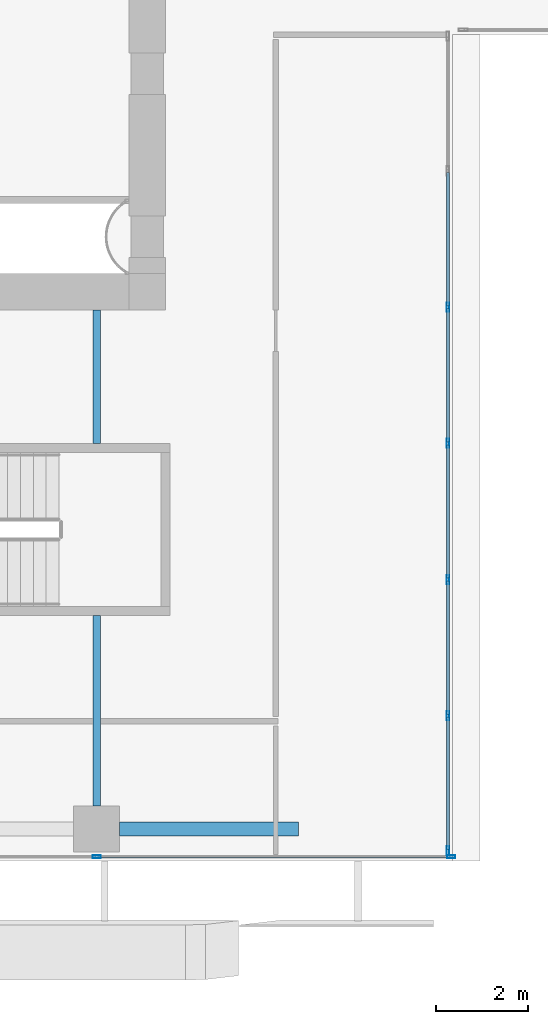
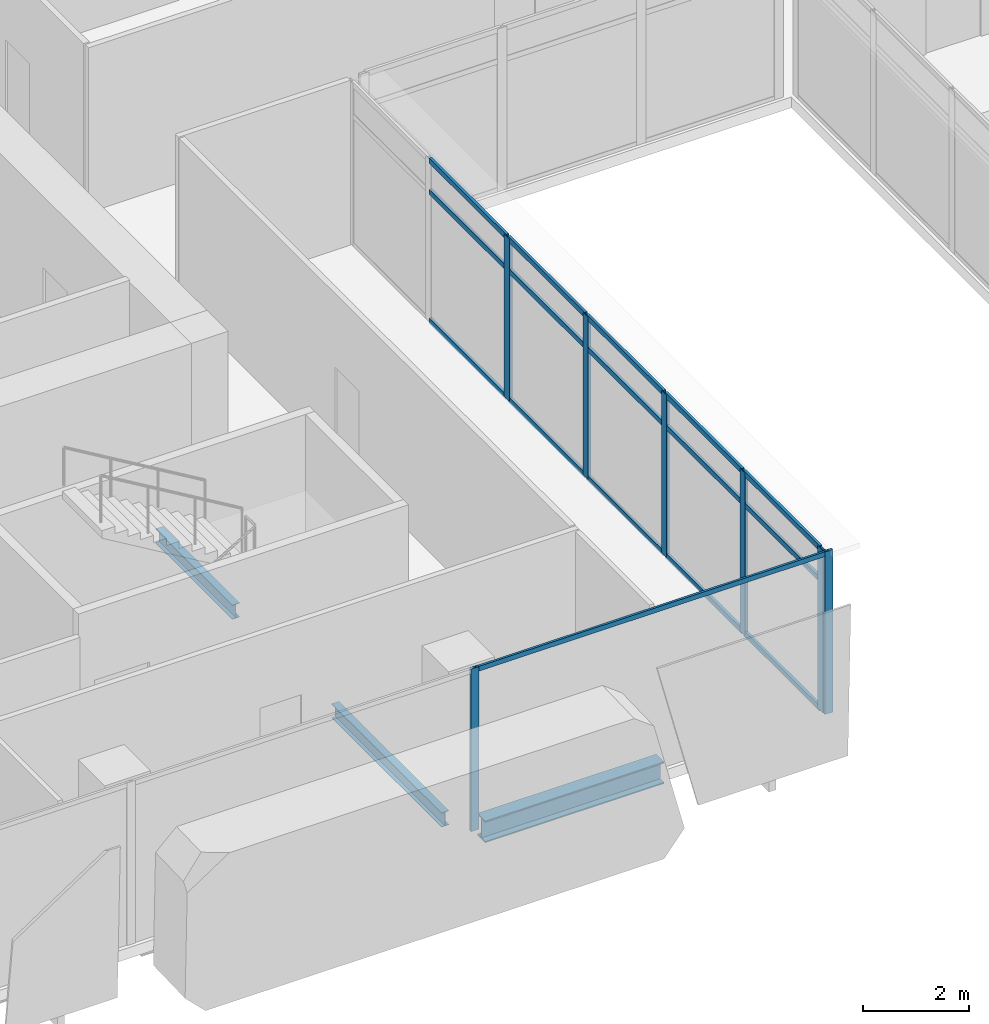
# One storey, part 5 of 40: 23 members, 3 beams, 2 elements without a shape of their own.
"""IFC4 building model written with IfcOpenShell, lengths in metres."""

from ifc_helpers import new_model, si_unit, direction, frame, origin, origin_2d, place, context, subcontext, project, spatial, hollow_rectangle, i_section, extrude, source, transform, mapped, material, material_profile, profile_set, type_object, element, aggregate, save


model = new_model("IFC4")

# Units and contexts
model_context = context("Model", 3, precision=1e-05, world=origin(), true_north=direction((0.0, 1.0)))
body_context = subcontext(model_context, "Body", "Model", "MODEL_VIEW")
ifc_project = project(units=[si_unit("LENGTHUNIT", "METRE"), si_unit("AREAUNIT", "SQUARE_METRE"), si_unit("VOLUMEUNIT", "CUBIC_METRE"), si_unit("PLANEANGLEUNIT", "RADIAN"), si_unit("MASSUNIT", "GRAM", prefix="KILO")], contexts=[model_context])

# Site, building, storey
site_placement = place(None, origin())
site = spatial("IfcSite", under=ifc_project, at=site_placement, CompositionType="ELEMENT")
building_placement = place(site_placement, origin())
building = spatial("IfcBuilding", under=site, at=building_placement, Name="Khomas Fold Tower", CompositionType="ELEMENT")
storey_placement = place(building_placement, frame((0.0, 0.0, 176.699951171875)))
storey = spatial("IfcBuildingStorey", under=building, at=storey_placement, Name="L38", CompositionType="ELEMENT", Elevation=176.699951171875)

# Beams
ifc_material_1 = material(Name="Steel S355", Category="steel")
ifc_material_profile_1 = material_profile(ifc_material_1, i_section(OverallWidth=0.300048828125, OverallDepth=0.5, WebThickness=0.014404296875, FlangeThickness=0.028076171875, at=origin_2d()), Name="HE 500 B")
ifc_profile_set_1 = profile_set([ifc_material_profile_1], Name="Steel S355")
beam_type_1 = type_object("IfcBeamType", Name="HE 500 B spandrel SB3", PredefinedType="SPANDREL", material=ifc_profile_set_1)
shared_shape_1 = source(origin(), body_context, "Body", "SweptSolid", [
    extrude(i_section(OverallWidth=0.300048828125, OverallDepth=0.5, WebThickness=0.014404296875, FlangeThickness=0.028076171875, at=origin_2d()), origin(), (0.0, 0.0, 1.0), 3.89990234375),
])
beam_1_placement = place(storey_placement, frame((20.0, 3.699951171875, -0.5), z_axis=(1.0, 0.0, 0.0), x_axis=(0.0, 1.0, 0.0)))
element("IfcBeam", 1, at=beam_1_placement, inside=storey, type_object=beam_type_1, Name="SB3", PredefinedType="SPANDREL", context=body_context, shape_type="MappedRepresentation", body=[
    mapped(shared_shape_1, transform((0.0, 0.0, 0.0))),
])
ifc_material_2 = material(Name="Steel S355", Category="steel")
ifc_material_profile_2 = material_profile(ifc_material_2, i_section(OverallWidth=0.159912109375, OverallDepth=0.330078125, WebThickness=0.007568359375, FlangeThickness=0.011474609375, at=origin_2d()), Name="IPE 330")
ifc_profile_set_2 = profile_set([ifc_material_profile_2], Name="Steel S355")
beam_type_2 = type_object("IfcBeamType", Name="IPE 330 beam JB1", PredefinedType="BEAM", material=ifc_profile_set_2)
shared_shape_2 = source(origin(), body_context, "Body", "SweptSolid", [
    extrude(i_section(OverallWidth=0.159912109375, OverallDepth=0.330078125, WebThickness=0.007568359375, FlangeThickness=0.011474609375, at=origin_2d()), origin(), (0.0, 0.0, 1.0), 4.150146484375),
])
beam_2_placement = place(storey_placement, frame((19.5, 4.199951171875, -0.4150390625), z_axis=(0.0, 1.0, 0.0), x_axis=(-1.0, 0.0, 0.0)))
element("IfcBeam", 2, at=beam_2_placement, inside=storey, type_object=beam_type_2, Name="JB1", PredefinedType="BEAM", context=body_context, shape_type="MappedRepresentation", body=[
    mapped(shared_shape_2, transform((0.0, 0.0, 0.0))),
])
shared_shape_3 = source(origin(), body_context, "Body", "SweptSolid", [
    extrude(i_section(OverallWidth=0.159912109375, OverallDepth=0.330078125, WebThickness=0.007568359375, FlangeThickness=0.011474609375, at=origin_2d()), origin(), (0.0, 0.0, 1.0), 2.89990234375),
])
beam_3_placement = place(storey_placement, frame((19.5, 12.10009765625, -0.4150390625), z_axis=(0.0, 1.0, 0.0), x_axis=(-1.0, 0.0, 0.0)))
element("IfcBeam", 3, at=beam_3_placement, inside=storey, type_object=beam_type_2, Name="JB1", PredefinedType="BEAM", context=body_context, shape_type="MappedRepresentation", body=[
    mapped(shared_shape_3, transform((0.0, 0.0, 0.0))),
])

# Curtain wall, members
ifc_material_3 = material(Name="Aluminium framed double glazing", Category="aluminium")
curtain_wall_type_1 = type_object("IfcCurtainWallType", Name="SK-Unitised clear-glass wall, office floors CW2", PredefinedType="NOTDEFINED", material=ifc_material_3)
curtain_wall_1_placement = place(storey_placement, origin())
curtain_wall_1 = element("IfcCurtainWall", 4, at=curtain_wall_1_placement, inside=storey, type_object=curtain_wall_type_1, Name="CW2 run L38 01-0", PredefinedType="NOTDEFINED")
ifc_material_4 = material(Name="Aluminium", Category="aluminium")
ifc_material_profile_3 = material_profile(ifc_material_4, hollow_rectangle(XDim=0.06005859375, YDim=0.179931640625, WallThickness=0.00390625, at=origin_2d()), Name="SK-Unitised clear-glass wall, office floors mullion CW2-M")
ifc_profile_set_3 = profile_set([ifc_material_profile_3], Name="Aluminium")
member_type_1 = type_object("IfcMemberType", Name="SK-Unitised clear-glass wall, office floors mullion CW2-M", PredefinedType="MULLION", material=ifc_profile_set_3)
shared_shape_4 = source(origin(), body_context, "Body", "SweptSolid", [
    extrude(hollow_rectangle(XDim=0.06005859375, YDim=0.179931640625, WallThickness=0.00390625, at=origin_2d()), origin(), (0.0, 0.0, 1.0), 3.75),
])
member_1_placement = place(storey_placement, frame((19.5, 3.10009765625, 0.0), z_axis=(0.0, 0.0, 1.0), x_axis=(0.0, 1.0, 0.0)))
member_1 = element("IfcMember", 5, at=member_1_placement, type_object=member_type_1, Name="CW2 mullion 4", PredefinedType="MULLION", context=body_context, shape_type="MappedRepresentation", body=[
    mapped(shared_shape_4, transform((0.0, 0.0, 0.0))),
])
member_2_placement = place(storey_placement, frame((27.219970703125, 3.10009765625, 0.0), z_axis=(0.0, 0.0, 1.0), x_axis=(0.0, 1.0, 0.0)))
member_2 = element("IfcMember", 6, at=member_2_placement, type_object=member_type_1, Name="CW2 mullion 5", PredefinedType="MULLION", context=body_context, shape_type="MappedRepresentation", body=[
    mapped(shared_shape_4, transform((0.0, 0.0, 0.0))),
])
ifc_material_5 = material(Name="Aluminium", Category="aluminium")
ifc_material_profile_4 = material_profile(ifc_material_5, hollow_rectangle(XDim=0.050048828125, YDim=0.110107421875, WallThickness=0.00390625, at=origin_2d()), Name="SK-Unitised clear-glass wall, office floors transom CW2-T")
ifc_profile_set_4 = profile_set([ifc_material_profile_4], Name="Aluminium")
member_type_2 = type_object("IfcMemberType", Name="SK-Unitised clear-glass wall, office floors transom CW2-T", PredefinedType="USERDEFINED", material=ifc_profile_set_4)
shared_shape_5 = source(origin(), body_context, "Body", "SweptSolid", [
    extrude(hollow_rectangle(XDim=0.050048828125, YDim=0.110107421875, WallThickness=0.00390625, at=origin_2d()), origin(), (0.0, 0.0, 1.0), 7.659912109375),
])
member_3_placement = place(storey_placement, frame((19.530029296875, 3.10009765625, 3.695068359375), z_axis=(1.0, 0.0, 0.0), x_axis=(0.0, 1.0, 0.0)))
member_3 = element("IfcMember", 7, at=member_3_placement, type_object=member_type_2, Name="CW2 transom 4", ObjectType="TRANSOM", PredefinedType="USERDEFINED", context=body_context, shape_type="MappedRepresentation", body=[
    mapped(shared_shape_5, transform((0.0, 0.0, 0.0))),
])
aggregate(curtain_wall_1, [member_1, member_2, member_3])

ifc_material_6 = material(Name="Aluminium framed double glazing", Category="aluminium")
curtain_wall_type_2 = type_object("IfcCurtainWallType", Name="Notch glazing GN-CW", PredefinedType="NOTDEFINED", material=ifc_material_6)
curtain_wall_2_placement = place(storey_placement, origin())
curtain_wall_2 = element("IfcCurtainWall", 8, at=curtain_wall_2_placement, inside=storey, type_object=curtain_wall_type_2, Name="Notch glazing run", PredefinedType="NOTDEFINED")
ifc_material_7 = material(Name="Aluminium", Category="aluminium")
ifc_material_profile_5 = material_profile(ifc_material_7, hollow_rectangle(XDim=0.06005859375, YDim=0.1201171875, WallThickness=0.00390625, at=origin_2d()), Name="Notch glazing transom GN-CW-T")
ifc_profile_set_5 = profile_set([ifc_material_profile_5], Name="Aluminium")
member_type_3 = type_object("IfcMemberType", Name="Notch glazing transom GN-CW-T", PredefinedType="USERDEFINED", material=ifc_profile_set_5)
shared_shape_6 = source(origin(), body_context, "Body", "SweptSolid", [
    extrude(hollow_rectangle(XDim=0.06005859375, YDim=0.1201171875, WallThickness=0.00390625, at=origin_2d()), origin(), (0.0, 0.0, 1.0), 2.876708984375),
])
member_4_placement = place(storey_placement, frame((27.14990234375, 3.260009765625, 0.030029296875), z_axis=(0.0, 1.0, 0.0), x_axis=(-1.0, 0.0, 0.0)))
member_4 = element("IfcMember", 9, at=member_4_placement, type_object=member_type_3, Name="GN-CW transom 1.1", ObjectType="TRANSOM", PredefinedType="USERDEFINED", context=body_context, shape_type="MappedRepresentation", body=[
    mapped(shared_shape_6, transform((0.0, 0.0, 0.0))),
])
member_5_placement = place(storey_placement, frame((27.14990234375, 3.260009765625, 3.0), z_axis=(0.0, 1.0, 0.0), x_axis=(-1.0, 0.0, 0.0)))
member_5 = element("IfcMember", 10, at=member_5_placement, type_object=member_type_3, Name="GN-CW transom 1.2", ObjectType="TRANSOM", PredefinedType="USERDEFINED", context=body_context, shape_type="MappedRepresentation", body=[
    mapped(shared_shape_6, transform((0.0, 0.0, 0.0))),
])
member_6_placement = place(storey_placement, frame((27.14990234375, 3.260009765625, 3.719970703125), z_axis=(0.0, 1.0, 0.0), x_axis=(-1.0, 0.0, 0.0)))
member_6 = element("IfcMember", 11, at=member_6_placement, type_object=member_type_3, Name="GN-CW transom 1.3", ObjectType="TRANSOM", PredefinedType="USERDEFINED", context=body_context, shape_type="MappedRepresentation", body=[
    mapped(shared_shape_6, transform((0.0, 0.0, 0.0))),
])
shared_shape_7 = source(origin(), body_context, "Body", "SweptSolid", [
    extrude(hollow_rectangle(XDim=0.06005859375, YDim=0.1201171875, WallThickness=0.00390625, at=origin_2d()), origin(), (0.0, 0.0, 1.0), 2.90673828125),
])
member_7_placement = place(storey_placement, frame((27.14990234375, 9.163330078125, 0.030029296875), z_axis=(0.0, 1.0, 0.0), x_axis=(-1.0, 0.0, 0.0)))
member_7 = element("IfcMember", 12, at=member_7_placement, type_object=member_type_3, Name="GN-CW transom 3.1", ObjectType="TRANSOM", PredefinedType="USERDEFINED", context=body_context, shape_type="MappedRepresentation", body=[
    mapped(shared_shape_7, transform((0.0, 0.0, 0.0))),
])
member_8_placement = place(storey_placement, frame((27.14990234375, 9.163330078125, 3.0), z_axis=(0.0, 1.0, 0.0), x_axis=(-1.0, 0.0, 0.0)))
member_8 = element("IfcMember", 13, at=member_8_placement, type_object=member_type_3, Name="GN-CW transom 3.2", ObjectType="TRANSOM", PredefinedType="USERDEFINED", context=body_context, shape_type="MappedRepresentation", body=[
    mapped(shared_shape_7, transform((0.0, 0.0, 0.0))),
])
member_9_placement = place(storey_placement, frame((27.14990234375, 9.163330078125, 3.719970703125), z_axis=(0.0, 1.0, 0.0), x_axis=(-1.0, 0.0, 0.0)))
member_9 = element("IfcMember", 14, at=member_9_placement, type_object=member_type_3, Name="GN-CW transom 3.3", ObjectType="TRANSOM", PredefinedType="USERDEFINED", context=body_context, shape_type="MappedRepresentation", body=[
    mapped(shared_shape_7, transform((0.0, 0.0, 0.0))),
])
member_10_placement = place(storey_placement, frame((27.14990234375, 12.1298828125, 0.030029296875), z_axis=(0.0, 1.0, 0.0), x_axis=(-1.0, 0.0, 0.0)))
member_10 = element("IfcMember", 15, at=member_10_placement, type_object=member_type_3, Name="GN-CW transom 4.1", ObjectType="TRANSOM", PredefinedType="USERDEFINED", context=body_context, shape_type="MappedRepresentation", body=[
    mapped(shared_shape_7, transform((0.0, 0.0, 0.0))),
])
member_11_placement = place(storey_placement, frame((27.14990234375, 12.1298828125, 3.0), z_axis=(0.0, 1.0, 0.0), x_axis=(-1.0, 0.0, 0.0)))
member_11 = element("IfcMember", 16, at=member_11_placement, type_object=member_type_3, Name="GN-CW transom 4.2", ObjectType="TRANSOM", PredefinedType="USERDEFINED", context=body_context, shape_type="MappedRepresentation", body=[
    mapped(shared_shape_7, transform((0.0, 0.0, 0.0))),
])
member_12_placement = place(storey_placement, frame((27.14990234375, 12.1298828125, 3.719970703125), z_axis=(0.0, 1.0, 0.0), x_axis=(-1.0, 0.0, 0.0)))
member_12 = element("IfcMember", 17, at=member_12_placement, type_object=member_type_3, Name="GN-CW transom 4.3", ObjectType="TRANSOM", PredefinedType="USERDEFINED", context=body_context, shape_type="MappedRepresentation", body=[
    mapped(shared_shape_7, transform((0.0, 0.0, 0.0))),
])
member_13_placement = place(storey_placement, frame((27.14990234375, 15.0966796875, 0.030029296875), z_axis=(0.0, 1.0, 0.0), x_axis=(-1.0, 0.0, 0.0)))
member_13 = element("IfcMember", 18, at=member_13_placement, type_object=member_type_3, Name="GN-CW transom 5.1", ObjectType="TRANSOM", PredefinedType="USERDEFINED", context=body_context, shape_type="MappedRepresentation", body=[
    mapped(shared_shape_7, transform((0.0, 0.0, 0.0))),
])
member_14_placement = place(storey_placement, frame((27.14990234375, 15.0966796875, 3.0), z_axis=(0.0, 1.0, 0.0), x_axis=(-1.0, 0.0, 0.0)))
member_14 = element("IfcMember", 19, at=member_14_placement, type_object=member_type_3, Name="GN-CW transom 5.2", ObjectType="TRANSOM", PredefinedType="USERDEFINED", context=body_context, shape_type="MappedRepresentation", body=[
    mapped(shared_shape_7, transform((0.0, 0.0, 0.0))),
])
member_15_placement = place(storey_placement, frame((27.14990234375, 15.0966796875, 3.719970703125), z_axis=(0.0, 1.0, 0.0), x_axis=(-1.0, 0.0, 0.0)))
member_15 = element("IfcMember", 20, at=member_15_placement, type_object=member_type_3, Name="GN-CW transom 5.3", ObjectType="TRANSOM", PredefinedType="USERDEFINED", context=body_context, shape_type="MappedRepresentation", body=[
    mapped(shared_shape_7, transform((0.0, 0.0, 0.0))),
])
shared_shape_8 = source(origin(), body_context, "Body", "SweptSolid", [
    extrude(hollow_rectangle(XDim=0.06005859375, YDim=0.1201171875, WallThickness=0.00390625, at=origin_2d()), origin(), (0.0, 0.0, 1.0), 2.906494140625),
])
member_16_placement = place(storey_placement, frame((27.14990234375, 6.19677734375, 0.030029296875), z_axis=(0.0, 1.0, 0.0), x_axis=(-1.0, 0.0, 0.0)))
member_16 = element("IfcMember", 21, at=member_16_placement, type_object=member_type_3, Name="GN-CW transom 2.1", ObjectType="TRANSOM", PredefinedType="USERDEFINED", context=body_context, shape_type="MappedRepresentation", body=[
    mapped(shared_shape_8, transform((0.0, 0.0, 0.0))),
])
member_17_placement = place(storey_placement, frame((27.14990234375, 6.19677734375, 3.0), z_axis=(0.0, 1.0, 0.0), x_axis=(-1.0, 0.0, 0.0)))
member_17 = element("IfcMember", 22, at=member_17_placement, type_object=member_type_3, Name="GN-CW transom 2.2", ObjectType="TRANSOM", PredefinedType="USERDEFINED", context=body_context, shape_type="MappedRepresentation", body=[
    mapped(shared_shape_8, transform((0.0, 0.0, 0.0))),
])
member_18_placement = place(storey_placement, frame((27.14990234375, 6.19677734375, 3.719970703125), z_axis=(0.0, 1.0, 0.0), x_axis=(-1.0, 0.0, 0.0)))
member_18 = element("IfcMember", 23, at=member_18_placement, type_object=member_type_3, Name="GN-CW transom 2.3", ObjectType="TRANSOM", PredefinedType="USERDEFINED", context=body_context, shape_type="MappedRepresentation", body=[
    mapped(shared_shape_8, transform((0.0, 0.0, 0.0))),
])
ifc_material_8 = material(Name="Aluminium", Category="aluminium")
ifc_material_profile_6 = material_profile(ifc_material_8, hollow_rectangle(XDim=0.06005859375, YDim=0.199951171875, WallThickness=0.00390625, at=origin_2d()), Name="Notch glazing mullion GN-CW-M")
ifc_profile_set_6 = profile_set([ifc_material_profile_6], Name="Aluminium")
member_type_4 = type_object("IfcMemberType", Name="Notch glazing mullion GN-CW-M", PredefinedType="MULLION", material=ifc_profile_set_6)
shared_shape_9 = source(origin(), body_context, "Body", "SweptSolid", [
    extrude(hollow_rectangle(XDim=0.06005859375, YDim=0.199951171875, WallThickness=0.00390625, at=origin_2d()), origin(), (0.0, 0.0, 1.0), 3.75),
])
member_19_placement = place(storey_placement, frame((27.14990234375, 3.22998046875, 0.0), z_axis=(0.0, 0.0, 1.0), x_axis=(-1.0, 0.0, 0.0)))
member_19 = element("IfcMember", 24, at=member_19_placement, type_object=member_type_4, Name="GN-CW mullion 1", PredefinedType="MULLION", context=body_context, shape_type="MappedRepresentation", body=[
    mapped(shared_shape_9, transform((0.0, 0.0, 0.0))),
])
member_20_placement = place(storey_placement, frame((27.14990234375, 6.166748046875, 0.0), z_axis=(0.0, 0.0, 1.0), x_axis=(-1.0, 0.0, 0.0)))
member_20 = element("IfcMember", 25, at=member_20_placement, type_object=member_type_4, Name="GN-CW mullion 2", PredefinedType="MULLION", context=body_context, shape_type="MappedRepresentation", body=[
    mapped(shared_shape_9, transform((0.0, 0.0, 0.0))),
])
member_21_placement = place(storey_placement, frame((27.14990234375, 9.13330078125, 0.0), z_axis=(0.0, 0.0, 1.0), x_axis=(-1.0, 0.0, 0.0)))
member_21 = element("IfcMember", 26, at=member_21_placement, type_object=member_type_4, Name="GN-CW mullion 3", PredefinedType="MULLION", context=body_context, shape_type="MappedRepresentation", body=[
    mapped(shared_shape_9, transform((0.0, 0.0, 0.0))),
])
member_22_placement = place(storey_placement, frame((27.14990234375, 12.10009765625, 0.0), z_axis=(0.0, 0.0, 1.0), x_axis=(-1.0, 0.0, 0.0)))
member_22 = element("IfcMember", 27, at=member_22_placement, type_object=member_type_4, Name="GN-CW mullion 4", PredefinedType="MULLION", context=body_context, shape_type="MappedRepresentation", body=[
    mapped(shared_shape_9, transform((0.0, 0.0, 0.0))),
])
member_23_placement = place(storey_placement, frame((27.14990234375, 15.066650390625, 0.0), z_axis=(0.0, 0.0, 1.0), x_axis=(-1.0, 0.0, 0.0)))
member_23 = element("IfcMember", 28, at=member_23_placement, type_object=member_type_4, Name="GN-CW mullion 5", PredefinedType="MULLION", context=body_context, shape_type="MappedRepresentation", body=[
    mapped(shared_shape_9, transform((0.0, 0.0, 0.0))),
])
aggregate(curtain_wall_2, [member_19, member_20, member_21, member_22, member_23, member_4, member_5, member_6, member_16, member_17, member_18, member_7, member_8, member_9, member_10, member_11, member_12, member_13, member_14, member_15])

save(model, "model.ifc")
